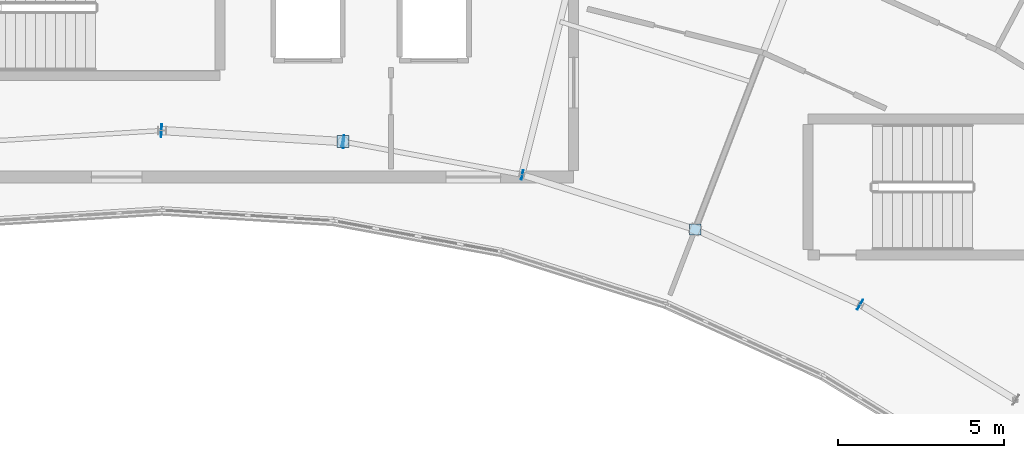
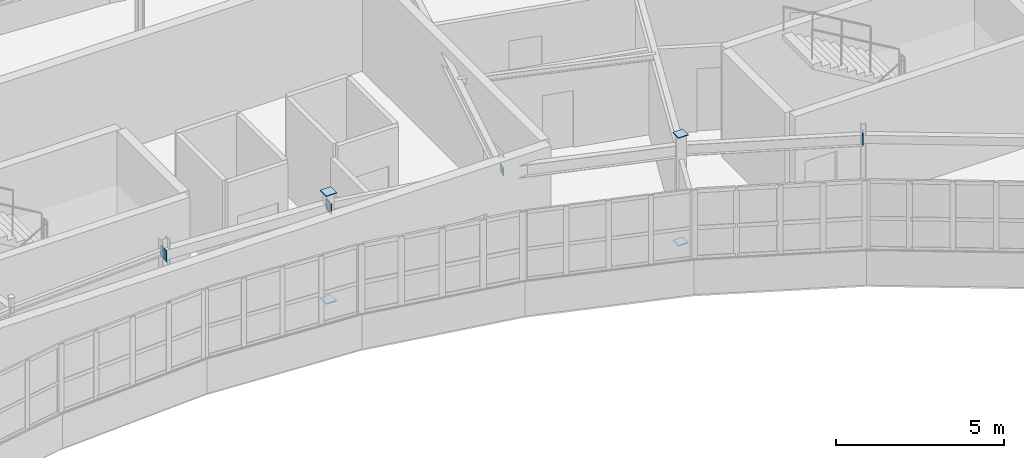
# One storey, part 61 of 79: 9 plates.
"""IFC4 building model written with IfcOpenShell, lengths in metres."""

import ifcopenshell
import ifcopenshell.guid

model = None  # the IFC model being written
_history = None  # IfcOwnerHistory: only IFC2X3 demands one
_inside = {}  # id of a spatial element -> (the spatial element, [elements in it])
_under = {}  # id of a project, library or spatial element -> (it, [spatial elements below it])
_declared = {}  # id of a project -> (the project, [libraries it declares])
_typed = {}  # id of a type object -> (the type object, [elements of that type])
_made_of = {}  # id of a material, layer set ... -> (it, [elements and type objects made of it])


def new_model(schema):
    """Start an empty IFC model of exactly this schema.

    Asked for "IFC4X3", IfcOpenShell would pick the latest addendum, in which some entities
    have other attributes; the version numbers below select the first issue.
    IFC2X3 requires an IfcOwnerHistory on every rooted entity: one is made here for all.
    """
    global model, _history
    if schema == "IFC4X3":
        model = ifcopenshell.file(schema_version=(4, 3, 0, 0))
    else:
        model = ifcopenshell.file(schema=schema)
    _inside.clear()
    _under.clear()
    _declared.clear()
    _typed.clear()
    _made_of.clear()
    _history = None
    if model.schema == "IFC2X3":
        org = make("IfcOrganization", Name="unknown")
        user = make(
            "IfcPersonAndOrganization",
            ThePerson=make("IfcPerson", FamilyName="unknown"),
            TheOrganization=org,
        )
        app = make(
            "IfcApplication",
            ApplicationDeveloper=org,
            Version="unknown",
            ApplicationFullName="unknown",
            ApplicationIdentifier="unknown",
        )
        _history = make(
            "IfcOwnerHistory",
            OwningUser=user,
            OwningApplication=app,
            ChangeAction="ADDED",
            CreationDate=0,
        )
    return model


def make(cls, **values):
    """One entity of the class cls with the attributes given. An attribute that is None is left unset."""
    return model.create_entity(
        cls, **{name: value for name, value in values.items() if value is not None}
    )


def rooted(cls, **values):
    """An entity with a GlobalId (a new one), such as an element, a storey or a relation."""
    return make(cls, GlobalId=ifcopenshell.guid.new(), OwnerHistory=_history, **values)


def si_unit(unit_type, name, prefix=None):
    """IfcSIUnit, for example si_unit("LENGTHUNIT", "METRE", prefix="MILLI")."""
    return make("IfcSIUnit", UnitType=unit_type, Prefix=prefix, Name=name)


def assignment(units):
    """IfcUnitAssignment: the units of a project."""
    return None if units is None else make("IfcUnitAssignment", Units=units)


def point(xyz):
    """IfcCartesianPoint."""
    return None if xyz is None else make("IfcCartesianPoint", Coordinates=xyz)


def direction(xyz):
    """IfcDirection."""
    return None if xyz is None else make("IfcDirection", DirectionRatios=xyz)


def frame(location, z_axis=None, x_axis=None):
    """IfcAxis2Placement3D, a coordinate frame: its origin and axes. An axis left out is left unset."""
    return make(
        "IfcAxis2Placement3D",
        Location=point(location),
        Axis=direction(z_axis),
        RefDirection=direction(x_axis),
    )


def frame_2d(location, x_axis=None):
    """IfcAxis2Placement2D, a coordinate frame in the plane: its origin and x axis."""
    return make(
        "IfcAxis2Placement2D", Location=point(location), RefDirection=direction(x_axis)
    )


def origin():
    """The frame at (0, 0, 0) with its axes left unset."""
    return frame((0.0, 0.0, 0.0))


def origin_2d():
    """The frame at (0, 0) in the plane with its x axis left unset."""
    return frame_2d((0.0, 0.0))


def place(relative_to, where):
    """IfcLocalPlacement: puts the frame where relative to a parent placement (None: the world)."""
    return make(
        "IfcLocalPlacement", PlacementRelTo=relative_to, RelativePlacement=where
    )


def context(
    kind, dimensions, precision=None, world=None, true_north=None, identifier=None
):
    """IfcGeometricRepresentationContext, for example the 3D "Model" context."""
    return make(
        "IfcGeometricRepresentationContext",
        ContextIdentifier=identifier,
        ContextType=kind,
        CoordinateSpaceDimension=dimensions,
        Precision=precision,
        WorldCoordinateSystem=world,
        TrueNorth=true_north,
    )


def subcontext(parent, identifier, kind, view, scale=None):
    """IfcGeometricRepresentationSubContext, for example "Body" below "Model"."""
    return make(
        "IfcGeometricRepresentationSubContext",
        ContextIdentifier=identifier,
        ContextType=kind,
        ParentContext=parent,
        TargetScale=scale,
        TargetView=view,
    )


def project(units=None, contexts=None):
    """IfcProject with its units and contexts."""
    return rooted(
        "IfcProject",
        Name="project",
        RepresentationContexts=contexts,
        UnitsInContext=assignment(units),
    )


def spatial(cls, under=None, at=None, **own):
    """A site, building, storey or space (cls), placed at a placement, below another one or the project."""
    s = rooted(cls, ObjectPlacement=at, **own)
    if under is not None:
        _under.setdefault(under.id(), (under, []))[1].append(s)
    return s


def profile(cls, at=None, kind="AREA", **sizes):
    """A parametric profile (cls). Its sizes go by their IFC names, for example OverallWidth=200.0."""
    return make(cls, ProfileType=kind, Position=at, **sizes)


def rectangle(**sizes):
    """IfcRectangleProfileDef."""
    return profile("IfcRectangleProfileDef", **sizes)


def extrude(swept, where, along, depth):
    """IfcExtrudedAreaSolid: the profile swept, set in the frame where, extruded along a direction by depth."""
    return make(
        "IfcExtrudedAreaSolid",
        SweptArea=swept,
        Position=where,
        ExtrudedDirection=direction(along),
        Depth=depth,
    )


def shape(context_of_items, identifier, shape_type, items):
    """IfcShapeRepresentation: the items that make up one representation, for example the "Body"."""
    return make(
        "IfcShapeRepresentation",
        ContextOfItems=context_of_items,
        RepresentationIdentifier=identifier,
        RepresentationType=shape_type,
        Items=items,
    )


def material(Name=None, Category=None):
    """IfcMaterial."""
    return make("IfcMaterial", Name=Name, Category=Category)


def layer(
    of_material, thickness, ventilated=None, Name=None, Category=None, Priority=None
):
    """IfcMaterialLayer: one layer of a wall or slab, of a material (None: an air gap)."""
    return make(
        "IfcMaterialLayer",
        Material=of_material,
        LayerThickness=thickness,
        IsVentilated=ventilated,
        Name=Name,
        Category=Category,
        Priority=Priority,
    )


def layer_set(layers, Name=None):
    """IfcMaterialLayerSet."""
    return make("IfcMaterialLayerSet", MaterialLayers=layers, LayerSetName=Name)


def made_of(thing, what):
    """Note that an element or type object is made of a material, layer set ...; save() writes the relation."""
    if what is not None:
        _made_of.setdefault(what.id(), (what, []))[1].append(thing)
    return thing


def type_object(cls, material=None, **own):
    """A type object (cls), such as IfcWallType, which elements share."""
    return made_of(rooted(cls, **own), material)


def element(
    cls,
    number,
    at=None,
    inside=None,
    cuts=None,
    type_object=None,
    material=None,
    context=None,
    identifier="Body",
    shape_type=None,
    held_by="IfcProductDefinitionShape",
    body=None,
    shapes=None,
    **own,
):
    """One element of the class cls, such as IfcWall. Its Tag is "e" and its number.

    at: its placement. inside: the storey or other place that contains it. cuts: it is an
    opening in that element (IfcRelVoidsElement). A single representation is given by context,
    identifier, shape_type and body (its items); several are given by shapes. held_by: the class
    of the entity that holds the representations. save() writes the other relations.
    """
    e = rooted(cls, Tag="e%d" % number, ObjectPlacement=at, **own)
    if body is not None:
        shapes = [shape(context, identifier, shape_type, body)]
    if shapes is not None:
        e.Representation = make(held_by, Representations=shapes)
    if inside is not None:
        _inside.setdefault(inside.id(), (inside, []))[1].append(e)
    if cuts is not None:
        rooted(
            "IfcRelVoidsElement", RelatingBuildingElement=cuts, RelatedOpeningElement=e
        )
    if type_object is not None:
        _typed.setdefault(type_object.id(), (type_object, []))[1].append(e)
    return made_of(e, material)


def aggregate(whole, parts):
    """IfcRelAggregates: a whole, such as a stair, and the parts it consists of."""
    return rooted("IfcRelAggregates", RelatingObject=whole, RelatedObjects=parts)


def save(model, path):
    """Write the relations noted so far, then the file.

    IfcRelAggregates (storeys below a building ...), IfcRelContainedInSpatialStructure (elements
    in a storey), IfcRelDefinesByType, IfcRelAssociatesMaterial and IfcRelDeclares: one each for
    every whole, place, type object, material and project.
    """
    for whole, parts in _under.values():
        aggregate(whole, parts)
    for where, things in _inside.values():
        rooted(
            "IfcRelContainedInSpatialStructure",
            RelatedElements=things,
            RelatingStructure=where,
        )
    for kind, things in _typed.values():
        rooted("IfcRelDefinesByType", RelatedObjects=things, RelatingType=kind)
    for what, things in _made_of.values():
        rooted("IfcRelAssociatesMaterial", RelatedObjects=things, RelatingMaterial=what)
    for by, libraries in _declared.values():
        rooted("IfcRelDeclares", RelatingContext=by, RelatedDefinitions=libraries)
    model.write(path)


model = new_model("IFC4")

# Units and contexts
model_context = context("Model", 3, precision=1e-05, world=origin(), true_north=direction((0.0, 1.0)))
body_context = subcontext(model_context, "Body", "Model", "MODEL_VIEW")
ifc_project = project(units=[si_unit("LENGTHUNIT", "METRE"), si_unit("AREAUNIT", "SQUARE_METRE"), si_unit("VOLUMEUNIT", "CUBIC_METRE"), si_unit("PLANEANGLEUNIT", "RADIAN"), si_unit("MASSUNIT", "GRAM", prefix="KILO")], contexts=[model_context])

# Site, building, storey
site_placement = place(None, origin())
site = spatial("IfcSite", under=ifc_project, at=site_placement, CompositionType="ELEMENT")
building_placement = place(site_placement, origin())
building = spatial("IfcBuilding", under=site, at=building_placement, Name="Tarnwether General Hospital", CompositionType="ELEMENT")
storey_placement = place(building_placement, frame((0.0, 0.0, 18.300048828125)))
storey = spatial("IfcBuildingStorey", under=building, at=storey_placement, Name="L04", CompositionType="ELEMENT", Elevation=18.300048828125)

# Plates
ifc_material = material(Name="Steel Grade 350 (350 MPa)", Category="steel")
ifc_layer = layer(ifc_material, 0.02490234375)
ifc_layer_set = layer_set([ifc_layer], Name="Steel Grade 350 (350 MPa)")
plate_type = type_object("IfcPlateType", Name="PT-GUS2", PredefinedType="USERDEFINED", material=ifc_layer_set)
for number, where, z_axis, x_axis, name in (
    (1, (97.4599609375, 107.466064453125, -0.02490234375), (0.0, 0.0, 1.0), (1.0, 0.0, 0.0), "Hollow Section Welded End Cap Plate 0547"),
    (2, (97.4599609375, 107.466064453125, 3.89990234375), (0.0, 0.0, 1.0), (1.0, 0.0, 0.0), "Hollow Section Welded End Cap Plate 0548"),
):
    element("IfcPlate", number, at=place(storey_placement, frame(where, z_axis=z_axis, x_axis=x_axis)), inside=storey, type_object=plate_type, Name=name, ObjectType="GUSSET", PredefinedType="USERDEFINED", context=body_context, shape_type="SweptSolid", body=[
        extrude(rectangle(XDim=0.364013671875, YDim=0.364013671875, at=origin_2d()), origin(), (0.0, 0.0, 1.0), 0.02490234375),
    ])
for number, where, z_axis, x_axis, name in (
    (3, (108.054931640625, 104.823974609375, -0.02490234375), (0.0, 0.0, 1.0), (1.0, 0.0, 0.0), "Hollow Section Welded End Cap Plate 0575"),
    (4, (108.054931640625, 104.823974609375, 3.89990234375), (0.0, 0.0, 1.0), (1.0, 0.0, 0.0), "Hollow Section Welded End Cap Plate 0576"),
):
    element("IfcPlate", number, at=place(storey_placement, frame(where, z_axis=z_axis, x_axis=x_axis)), inside=storey, type_object=plate_type, Name=name, ObjectType="GUSSET", PredefinedType="USERDEFINED", context=body_context, shape_type="SweptSolid", body=[
        extrude(rectangle(XDim=0.340087890625, YDim=0.340087890625, at=origin_2d()), origin(), (0.0, 0.0, 1.0), 0.02490234375),
    ])
for number, where, z_axis, x_axis, name in (
    (5, (91.987548828125, 107.80078125, 3.18994140625), (0.0, 0.0, 1.0), (0.998133732772, -0.061065960264, 0.0), "Hollow Section Welded End Cap Plate 1031"),
    (6, (97.472412109375, 107.465087890625, 3.18994140625), (0.0, 0.0, 1.0), (0.998133732772, -0.061065960264, 0.0), "Hollow Section Welded End Cap Plate 1032"),
):
    element("IfcPlate", number, at=place(storey_placement, frame(where, z_axis=z_axis, x_axis=x_axis)), inside=storey, type_object=plate_type, Name=name, ObjectType="GUSSET", PredefinedType="USERDEFINED", context=body_context, shape_type="SweptSolid", body=[
        extrude(rectangle(XDim=0.02490234375, YDim=0.389892578125, at=origin_2d()), origin(), (0.0, 0.0, 1.0), 0.389892578125),
    ])
for number, where, z_axis, x_axis, name in (
    (7, (97.44775390625, 107.46826171875, 3.2900390625), (0.0, 0.0, 1.0), (0.983245364386, -0.182287008349, 0.0), "Hollow Section Welded End Cap Plate 1035"),
    (8, (102.850341796875, 106.466796875, 3.2900390625), (0.0, 0.0, 1.0), (0.983245364386, -0.182287008349, 0.0), "Hollow Section Welded End Cap Plate 1036"),
):
    element("IfcPlate", number, at=place(storey_placement, frame(where, z_axis=z_axis, x_axis=x_axis)), inside=storey, type_object=plate_type, Name=name, ObjectType="GUSSET", PredefinedType="USERDEFINED", context=body_context, shape_type="SweptSolid", body=[
        extrude(rectangle(XDim=0.02490234375, YDim=0.2900390625, at=origin_2d()), origin(), (0.0, 0.0, 1.0), 0.2900390625),
    ])
plate_placement = place(storey_placement, frame((113.021240234375, 102.5625, 3.23974609375), z_axis=(0.0, 0.0, 1.0), x_axis=(0.852649283545, -0.522483683258, 0.0)))
element("IfcPlate", 9, at=plate_placement, inside=storey, type_object=plate_type, Name="Hollow Section Welded End Cap Plate 1039", ObjectType="GUSSET", PredefinedType="USERDEFINED", context=body_context, shape_type="SweptSolid", body=[
    extrude(rectangle(XDim=0.02490234375, YDim=0.340087890625, at=origin_2d()), origin(), (0.0, 0.0, 1.0), 0.340087890625),
])

save(model, "model.ifc")
